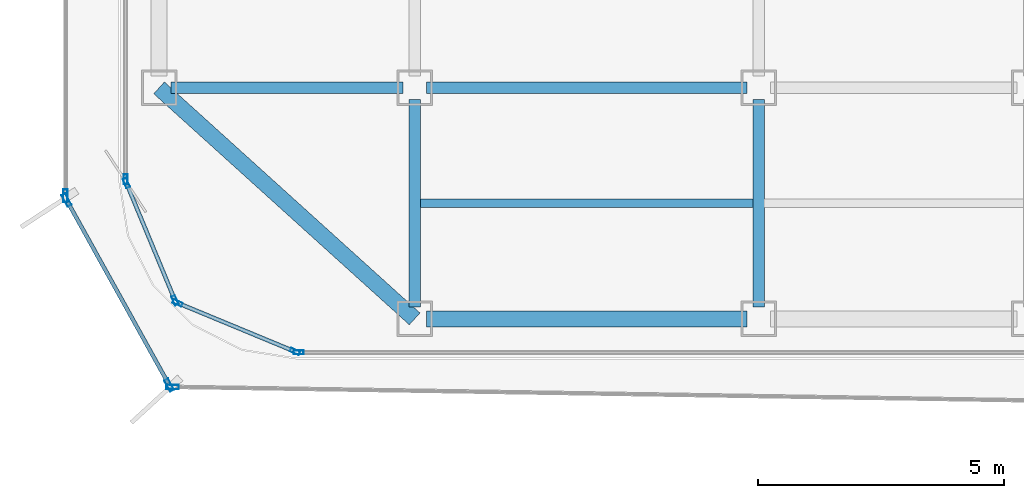
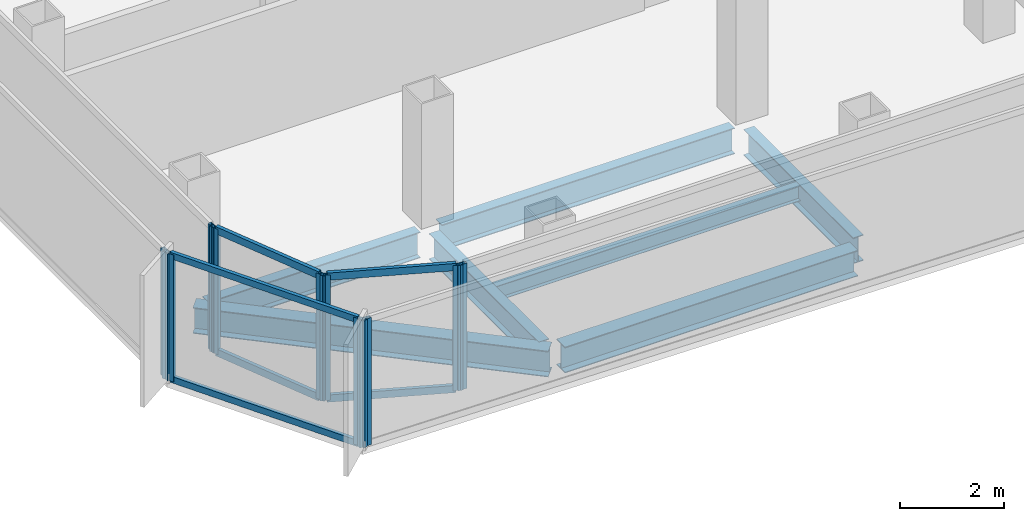
# One storey, part 2 of 15: 16 members, 7 beams, 7 elements without a shape of their own.
"""IFC4 building model written with IfcOpenShell, lengths in metres."""

from ifc_helpers import new_model, si_unit, direction, frame, origin, origin_2d, place, context, subcontext, project, spatial, hollow_rectangle, i_section, extrude, source, transform, mapped, material, layer, layer_set, material_profile, profile_set, type_object, element, aggregate, save


model = new_model("IFC4")

# Units and contexts
model_context = context("Model", 3, precision=1e-05, world=origin(), true_north=direction((0.0, 1.0)))
body_context = subcontext(model_context, "Body", "Model", "MODEL_VIEW")
ifc_project = project(units=[si_unit("LENGTHUNIT", "METRE"), si_unit("AREAUNIT", "SQUARE_METRE"), si_unit("VOLUMEUNIT", "CUBIC_METRE"), si_unit("PLANEANGLEUNIT", "RADIAN"), si_unit("MASSUNIT", "GRAM", prefix="KILO")], contexts=[model_context])

# Site, building, storey
site_placement = place(None, origin())
site = spatial("IfcSite", under=ifc_project, at=site_placement, CompositionType="ELEMENT")
building_placement = place(site_placement, origin())
building = spatial("IfcBuilding", under=site, at=building_placement, Name="Kolveth Station Tower", CompositionType="ELEMENT")
storey_placement = place(building_placement, frame((0.0, 0.0, 172.10009765625)))
storey = spatial("IfcBuildingStorey", under=building, at=storey_placement, Name="L48", CompositionType="ELEMENT", Elevation=172.10009765625)

# Beams
ifc_material_1 = material(Name="Steel S355", Category="steel")
ifc_material_profile_1 = material_profile(ifc_material_1, i_section(OverallWidth=0.323974609375, OverallDepth=0.611083984375, WebThickness=0.0126953125, FlangeThickness=0.01904296875, at=origin_2d()), Name="W610x155")
ifc_profile_set_1 = profile_set([ifc_material_profile_1], Name="Steel S355")
beam_type_1 = type_object("IfcBeamType", Name="Beam_SP2", PredefinedType="SPANDREL", material=ifc_profile_set_1)
shared_shape_1 = source(origin(), body_context, "Body", "SweptSolid", [
    extrude(i_section(OverallWidth=0.323974609375, OverallDepth=0.611083984375, WebThickness=0.0126953125, FlangeThickness=0.01904296875, at=origin_2d()), origin(), (0.0, 0.0, 1.0), 7.00927734375),
])
beam_1_placement = place(storey_placement, frame((0.800048828125, 5.5, -0.5556640625), z_axis=(0.741874009795, -0.670539300557, 0.0), x_axis=(0.670539300557, 0.741874009795, 0.0)))
element("IfcBeam", 1, at=beam_1_placement, inside=storey, type_object=beam_type_1, Name="L48 Corner Edge Girder BM-L48-CNR-SW", PredefinedType="SPANDREL", context=body_context, shape_type="MappedRepresentation", body=[
    mapped(shared_shape_1, transform((0.0, 0.0, 0.0), x_axis=(1.0, 0.0, 0.0), y_axis=(0.0, 1.0, 0.0), z_axis=(0.0, 0.0, 1.0), scale=1.0)),
])
shared_shape_2 = source(origin(), body_context, "Body", "SweptSolid", [
    extrude(i_section(OverallWidth=0.323974609375, OverallDepth=0.611083984375, WebThickness=0.0126953125, FlangeThickness=0.01904296875, at=origin_2d()), origin(), (0.0, 0.0, 1.0), 6.52001953125),
])
beam_2_placement = place(storey_placement, frame((6.239990234375, 0.800048828125, -0.5556640625), z_axis=(1.0, 0.0, 0.0), x_axis=(0.0, 1.0, 0.0)))
element("IfcBeam", 2, at=beam_2_placement, inside=storey, type_object=beam_type_1, Name="L48 Perimeter Spandrel BM-L48-PS-1", PredefinedType="SPANDREL", context=body_context, shape_type="MappedRepresentation", body=[
    mapped(shared_shape_2, transform((0.0, 0.0, 0.0), x_axis=(1.0, 0.0, 0.0), y_axis=(0.0, 1.0, 0.0), z_axis=(0.0, 0.0, 1.0), scale=1.0)),
])
ifc_material_profile_2 = material_profile(ifc_material_1, i_section(OverallWidth=0.22900390625, OverallDepth=0.612060546875, WebThickness=0.011962890625, FlangeThickness=0.01953125, at=origin_2d()), Name="W610x125")
ifc_profile_set_2 = profile_set([ifc_material_profile_2], Name="Steel S355")
beam_type_2 = type_object("IfcBeamType", Name="Beam_B5", PredefinedType="BEAM", material=ifc_profile_set_2)
shared_shape_3 = source(origin(), body_context, "Body", "SweptSolid", [
    extrude(i_section(OverallWidth=0.22900390625, OverallDepth=0.612060546875, WebThickness=0.011962890625, FlangeThickness=0.01953125, at=origin_2d()), origin(), (0.0, 0.0, 1.0), 4.719970703125),
])
beam_3_placement = place(storey_placement, frame((1.0400390625, 5.5, -0.55615234375), z_axis=(1.0, 0.0, 0.0), x_axis=(0.0, 1.0, 0.0)))
element("IfcBeam", 3, at=beam_3_placement, inside=storey, type_object=beam_type_2, Name="L48 Primary Girder BM-L48-GY55-1", PredefinedType="BEAM", context=body_context, shape_type="MappedRepresentation", body=[
    mapped(shared_shape_3, transform((0.0, 0.0, 0.0), x_axis=(1.0, 0.0, 0.0), y_axis=(0.0, 1.0, 0.0), z_axis=(0.0, 0.0, 1.0), scale=1.0)),
])
shared_shape_4 = source(origin(), body_context, "Body", "SweptSolid", [
    extrude(i_section(OverallWidth=0.22900390625, OverallDepth=0.612060546875, WebThickness=0.011962890625, FlangeThickness=0.01953125, at=origin_2d()), origin(), (0.0, 0.0, 1.0), 6.52001953125),
])
beam_4_placement = place(storey_placement, frame((6.239990234375, 5.5, -0.55615234375), z_axis=(1.0, 0.0, 0.0), x_axis=(0.0, 1.0, 0.0)))
element("IfcBeam", 4, at=beam_4_placement, inside=storey, type_object=beam_type_2, Name="L48 Primary Girder BM-L48-GY55-2", PredefinedType="BEAM", context=body_context, shape_type="MappedRepresentation", body=[
    mapped(shared_shape_4, transform((0.0, 0.0, 0.0), x_axis=(1.0, 0.0, 0.0), y_axis=(0.0, 1.0, 0.0), z_axis=(0.0, 0.0, 1.0), scale=1.0)),
])
shared_shape_5 = source(origin(), body_context, "Body", "SweptSolid", [
    extrude(i_section(OverallWidth=0.22900390625, OverallDepth=0.612060546875, WebThickness=0.011962890625, FlangeThickness=0.01953125, at=origin_2d()), origin(), (0.0, 0.0, 1.0), 4.219970703125),
])
for number, where, z_axis, x_axis, name in (
    (5, (6.0, 1.0400390625, -0.55615234375), (0.0, 1.0, 0.0), (-1.0, 0.0, 0.0), "L48 Primary Girder BM-L48-GX60-1"),
    (6, (13.0, 1.0400390625, -0.55615234375), (0.0, 1.0, 0.0), (-1.0, 0.0, 0.0), "L48 Primary Girder BM-L48-GX130-1"),
):
    element("IfcBeam", number, at=place(storey_placement, frame(where, z_axis=z_axis, x_axis=x_axis)), inside=storey, type_object=beam_type_2, Name=name, PredefinedType="BEAM", context=body_context, shape_type="MappedRepresentation", body=[
        mapped(shared_shape_5, transform((0.0, 0.0, 0.0), x_axis=(1.0, 0.0, 0.0), y_axis=(0.0, 1.0, 0.0), z_axis=(0.0, 0.0, 1.0), scale=1.0)),
    ])
ifc_material_profile_3 = material_profile(ifc_material_1, i_section(OverallWidth=0.1708984375, OverallDepth=0.35205078125, WebThickness=0.0068359375, FlangeThickness=0.009765625, at=origin_2d()), Name="W360x44")
ifc_profile_set_3 = profile_set([ifc_material_profile_3], Name="Steel S355")
beam_type_3 = type_object("IfcBeamType", Name="Beam_J2", PredefinedType="JOIST", material=ifc_profile_set_3)
shared_shape_6 = source(origin(), body_context, "Body", "SweptSolid", [
    extrude(i_section(OverallWidth=0.1708984375, OverallDepth=0.35205078125, WebThickness=0.0068359375, FlangeThickness=0.009765625, at=origin_2d()), origin(), (0.0, 0.0, 1.0), 6.77490234375),
])
beam_5_placement = place(storey_placement, frame((6.112548828125, 3.14990234375, -0.426025390625), z_axis=(1.0, 0.0, 0.0), x_axis=(0.0, 1.0, 0.0)))
element("IfcBeam", 7, at=beam_5_placement, inside=storey, type_object=beam_type_3, Name="L48 Secondary Joist JST-L48-2-1", PredefinedType="JOIST", context=body_context, shape_type="MappedRepresentation", body=[
    mapped(shared_shape_6, transform((0.0, 0.0, 0.0), x_axis=(1.0, 0.0, 0.0), y_axis=(0.0, 1.0, 0.0), z_axis=(0.0, 0.0, 1.0), scale=1.0)),
])

# Curtain wall, member
ifc_material_2 = material(Name="Aluminium 6063-T6 and low-E dark glass", Category="aluminium")
ifc_layer_1 = layer(ifc_material_2, 0.18994140625)
ifc_layer_set_1 = layer_set([ifc_layer_1], Name="Aluminium 6063-T6 and low-E dark glass")
curtain_wall_type_1 = type_object("IfcCurtainWallType", Name="CurtainWall_CW-Z2", PredefinedType="NOTDEFINED", material=ifc_layer_set_1)
curtain_wall_1_placement = place(storey_placement, origin())
curtain_wall_1 = element("IfcCurtainWall", 8, at=curtain_wall_1_placement, inside=storey, type_object=curtain_wall_type_1, Name="L48 Inner Thermal Curtain Wall 9", PredefinedType="NOTDEFINED")
ifc_material_3 = material(Name="Black anodized aluminium 6063-T6", Category="aluminium")
ifc_material_profile_4 = material_profile(ifc_material_3, hollow_rectangle(XDim=0.080078125, YDim=0.199951171875, WallThickness=0.0048828125, at=origin_2d()), Name="ALU-80x200x5")
ifc_profile_set_4 = profile_set([ifc_material_profile_4], Name="Black anodized aluminium 6063-T6")
member_type_1 = type_object("IfcMemberType", Name="Mullion_ML2", PredefinedType="MULLION", material=ifc_profile_set_4)
shared_shape_7 = source(origin(), body_context, "Body", "SweptSolid", [
    extrude(hollow_rectangle(XDim=0.080078125, YDim=0.199951171875, WallThickness=0.0048828125, at=origin_2d()), origin(), (0.0, 0.0, 1.0), 2.949951171875),
])
member_1_placement = place(storey_placement, frame((0.1201171875, 3.639892578125, 0.0), z_axis=(0.0, 0.0, 1.0), x_axis=(1.0, 0.0, 0.0)))
member_1 = element("IfcMember", 9, at=member_1_placement, type_object=member_type_1, Name="CW-Z2 mullion 2", PredefinedType="MULLION", context=body_context, shape_type="MappedRepresentation", body=[
    mapped(shared_shape_7, transform((0.0, 0.0, 0.0), x_axis=(1.0, 0.0, 0.0), y_axis=(0.0, 1.0, 0.0), z_axis=(0.0, 0.0, 1.0), scale=1.0)),
])
aggregate(curtain_wall_1, [member_1])

# Curtain wall, members
curtain_wall_2_placement = place(storey_placement, origin())
curtain_wall_2 = element("IfcCurtainWall", 10, at=curtain_wall_2_placement, inside=storey, type_object=curtain_wall_type_1, Name="L48 Inner Thermal Curtain Wall 10", PredefinedType="NOTDEFINED")
member_2_placement = place(storey_placement, frame((0.13525390625, 3.56298828125, 0.0), z_axis=(0.0, 0.0, 1.0), x_axis=(0.923873600544, 0.382697753087, 0.0)))
member_2 = element("IfcMember", 11, at=member_2_placement, type_object=member_type_1, Name="CW-Z2 mullion 1", PredefinedType="MULLION", context=body_context, shape_type="MappedRepresentation", body=[
    mapped(shared_shape_7, transform((0.0, 0.0, 0.0), x_axis=(1.0, 0.0, 0.0), y_axis=(0.0, 1.0, 0.0), z_axis=(0.0, 0.0, 1.0), scale=1.0)),
])
member_3_placement = place(storey_placement, frame((1.1240234375, 1.17626953125, 0.0), z_axis=(0.0, 0.0, 1.0), x_axis=(0.923873600544, 0.382697753087, 0.0)))
member_3 = element("IfcMember", 12, at=member_3_placement, type_object=member_type_1, Name="CW-Z2 mullion 2", PredefinedType="MULLION", context=body_context, shape_type="MappedRepresentation", body=[
    mapped(shared_shape_7, transform((0.0, 0.0, 0.0), x_axis=(1.0, 0.0, 0.0), y_axis=(0.0, 1.0, 0.0), z_axis=(0.0, 0.0, 1.0), scale=1.0)),
])

curtain_wall_3_placement = place(storey_placement, origin())
curtain_wall_3 = element("IfcCurtainWall", 13, at=curtain_wall_3_placement, inside=storey, type_object=curtain_wall_type_1, Name="L48 Inner Thermal Curtain Wall 11", PredefinedType="NOTDEFINED")
member_4_placement = place(storey_placement, frame((1.17626953125, 1.1240234375, 0.0), z_axis=(0.0, 0.0, 1.0), x_axis=(0.382697753087, 0.923873600544, 0.0)))
member_4 = element("IfcMember", 14, at=member_4_placement, type_object=member_type_1, Name="CW-Z2 mullion 1", PredefinedType="MULLION", context=body_context, shape_type="MappedRepresentation", body=[
    mapped(shared_shape_7, transform((0.0, 0.0, 0.0), x_axis=(1.0, 0.0, 0.0), y_axis=(0.0, 1.0, 0.0), z_axis=(0.0, 0.0, 1.0), scale=1.0)),
])
member_5_placement = place(storey_placement, frame((3.56298828125, 0.13525390625, 0.0), z_axis=(0.0, 0.0, 1.0), x_axis=(0.382697753087, 0.923873600544, 0.0)))
member_5 = element("IfcMember", 15, at=member_5_placement, type_object=member_type_1, Name="CW-Z2 mullion 2", PredefinedType="MULLION", context=body_context, shape_type="MappedRepresentation", body=[
    mapped(shared_shape_7, transform((0.0, 0.0, 0.0), x_axis=(1.0, 0.0, 0.0), y_axis=(0.0, 1.0, 0.0), z_axis=(0.0, 0.0, 1.0), scale=1.0)),
])

# Curtain wall, member
curtain_wall_4_placement = place(storey_placement, origin())
curtain_wall_4 = element("IfcCurtainWall", 16, at=curtain_wall_4_placement, inside=storey, type_object=curtain_wall_type_1, Name="L48 Inner Thermal Curtain Wall 12", PredefinedType="NOTDEFINED")
member_6_placement = place(storey_placement, frame((3.639892578125, 0.1201171875, 0.0), z_axis=(0.0, 0.0, 1.0), x_axis=(0.0, 1.0, 0.0)))
member_6 = element("IfcMember", 17, at=member_6_placement, type_object=member_type_1, Name="CW-Z2 mullion 1", PredefinedType="MULLION", context=body_context, shape_type="MappedRepresentation", body=[
    mapped(shared_shape_7, transform((0.0, 0.0, 0.0), x_axis=(1.0, 0.0, 0.0), y_axis=(0.0, 1.0, 0.0), z_axis=(0.0, 0.0, 1.0), scale=1.0)),
])
aggregate(curtain_wall_4, [member_6])

ifc_material_4 = material(Name="Black anodized aluminium 6063-T6 and dark solar glass", Category="aluminium")
ifc_layer_2 = layer(ifc_material_4, 0.159912109375)
ifc_layer_set_2 = layer_set([ifc_layer_2], Name="Black anodized aluminium 6063-T6 and dark solar glass")
curtain_wall_type_2 = type_object("IfcCurtainWallType", Name="OUTER SKIN CW-OS", PredefinedType="NOTDEFINED", material=ifc_layer_set_2)
curtain_wall_5_placement = place(storey_placement, origin())
curtain_wall_5 = element("IfcCurtainWall", 18, at=curtain_wall_5_placement, inside=storey, type_object=curtain_wall_type_2, Name="L48 Outer Ventilated Skin Curtain Wall 6", PredefinedType="NOTDEFINED")
ifc_material_profile_5 = material_profile(ifc_material_3, hollow_rectangle(XDim=0.090087890625, YDim=0.260009765625, WallThickness=0.0048828125, at=origin_2d()), Name="ALU-90x260x5")
ifc_profile_set_5 = profile_set([ifc_material_profile_5], Name="Black anodized aluminium 6063-T6")
member_type_2 = type_object("IfcMemberType", Name="FIN MULLION ML-OS", PredefinedType="MULLION", material=ifc_profile_set_5)
shared_shape_8 = source(origin(), body_context, "Body", "SweptSolid", [
    extrude(hollow_rectangle(XDim=0.090087890625, YDim=0.260009765625, WallThickness=0.0048828125, at=origin_2d()), origin(), (0.0, 0.0, 1.0), 2.989990234375),
])
member_7_placement = place(storey_placement, frame((-1.10498046875, 3.302734375, 0.0), z_axis=(0.0, 0.0, 1.0), x_axis=(0.999999440888, -0.001057461251, 0.0)))
member_7 = element("IfcMember", 19, at=member_7_placement, type_object=member_type_2, Name="CW-OS mullion 2", PredefinedType="MULLION", context=body_context, shape_type="MappedRepresentation", body=[
    mapped(shared_shape_8, transform((0.0, 0.0, 0.0), x_axis=(1.0, 0.0, 0.0), y_axis=(0.0, 1.0, 0.0), z_axis=(0.0, 0.0, 1.0), scale=1.0)),
])
aggregate(curtain_wall_5, [member_7])

# Curtain wall, members
curtain_wall_6_placement = place(storey_placement, origin())
curtain_wall_6 = element("IfcCurtainWall", 20, at=curtain_wall_6_placement, inside=storey, type_object=curtain_wall_type_2, Name="L48 Outer Ventilated Skin Curtain Wall 7", PredefinedType="NOTDEFINED")
member_8_placement = place(storey_placement, frame((-1.083251953125, 3.218505859375, 0.0), z_axis=(0.0, 0.0, 1.0), x_axis=(0.874471501253, 0.485076894417, 0.0)))
member_8 = element("IfcMember", 21, at=member_8_placement, type_object=member_type_2, Name="CW-OS mullion 1", PredefinedType="MULLION", context=body_context, shape_type="MappedRepresentation", body=[
    mapped(shared_shape_8, transform((0.0, 0.0, 0.0), x_axis=(1.0, 0.0, 0.0), y_axis=(0.0, 1.0, 0.0), z_axis=(0.0, 0.0, 1.0), scale=1.0)),
])
member_9_placement = place(storey_placement, frame((1.00537109375, -0.546875, 0.0), z_axis=(0.0, 0.0, 1.0), x_axis=(0.874471501253, 0.485076894417, 0.0)))
member_9 = element("IfcMember", 22, at=member_9_placement, type_object=member_type_2, Name="CW-OS mullion 2", PredefinedType="MULLION", context=body_context, shape_type="MappedRepresentation", body=[
    mapped(shared_shape_8, transform((0.0, 0.0, 0.0), x_axis=(1.0, 0.0, 0.0), y_axis=(0.0, 1.0, 0.0), z_axis=(0.0, 0.0, 1.0), scale=1.0)),
])

# Curtain wall, member
curtain_wall_7_placement = place(storey_placement, origin())
curtain_wall_7 = element("IfcCurtainWall", 23, at=curtain_wall_7_placement, inside=storey, type_object=curtain_wall_type_2, Name="L48 Outer Ventilated Skin Curtain Wall 8", PredefinedType="NOTDEFINED")
member_10_placement = place(storey_placement, frame((1.072265625, -0.5869140625, 0.0), z_axis=(0.0, 0.0, 1.0), x_axis=(0.015798673821, 0.999875193164, 0.0)))
member_10 = element("IfcMember", 24, at=member_10_placement, type_object=member_type_2, Name="CW-OS mullion 1", PredefinedType="MULLION", context=body_context, shape_type="MappedRepresentation", body=[
    mapped(shared_shape_8, transform((0.0, 0.0, 0.0), x_axis=(1.0, 0.0, 0.0), y_axis=(0.0, 1.0, 0.0), z_axis=(0.0, 0.0, 1.0), scale=1.0)),
])
aggregate(curtain_wall_7, [member_10])

# Member
ifc_material_profile_6 = material_profile(ifc_material_3, hollow_rectangle(XDim=0.080078125, YDim=0.169921875, WallThickness=0.0048828125, at=origin_2d()), Name="ALU-80x170x5")
ifc_profile_set_6 = profile_set([ifc_material_profile_6], Name="Black anodized aluminium 6063-T6")
member_type_3 = type_object("IfcMemberType", Name="Transom_TR2", PredefinedType="USERDEFINED", material=ifc_profile_set_6)
shared_shape_9 = source(origin(), body_context, "Body", "SweptSolid", [
    extrude(hollow_rectangle(XDim=0.080078125, YDim=0.169921875, WallThickness=0.0048828125, at=origin_2d()), origin(), (0.0, 0.0, 1.0), 2.50341796875),
])
member_11_placement = place(storey_placement, frame((0.150634765625, 3.526123046875, 0.039794921875), z_axis=(0.382661849723, -0.923888472039, 0.0), x_axis=(0.923888472039, 0.382661849723, 0.0)))
member_11 = element("IfcMember", 25, at=member_11_placement, type_object=member_type_3, Name="CW-Z2 transom 1.1", ObjectType="TRANSOM", PredefinedType="USERDEFINED", context=body_context, shape_type="MappedRepresentation", body=[
    mapped(shared_shape_9, transform((0.0, 0.0, 0.0), x_axis=(1.0, 0.0, 0.0), y_axis=(0.0, 1.0, 0.0), z_axis=(0.0, 0.0, 1.0), scale=1.0)),
])

member_12_placement = place(storey_placement, frame((0.150634765625, 3.526123046875, 2.909912109375), z_axis=(0.382661849723, -0.923888472039, 0.0), x_axis=(0.923888472039, 0.382661849723, 0.0)))
member_12 = element("IfcMember", 26, at=member_12_placement, type_object=member_type_3, Name="CW-Z2 transom 1.2", ObjectType="TRANSOM", PredefinedType="USERDEFINED", context=body_context, shape_type="MappedRepresentation", body=[
    mapped(shared_shape_9, transform((0.0, 0.0, 0.0), x_axis=(1.0, 0.0, 0.0), y_axis=(0.0, 1.0, 0.0), z_axis=(0.0, 0.0, 1.0), scale=1.0)),
])

aggregate(curtain_wall_2, [member_2, member_3, member_11, member_12])

member_13_placement = place(storey_placement, frame((1.213134765625, 1.108642578125, 0.039794921875), z_axis=(0.923888472039, -0.382661849723, 0.0), x_axis=(0.382661849723, 0.923888472039, 0.0)))
member_13 = element("IfcMember", 27, at=member_13_placement, type_object=member_type_3, Name="CW-Z2 transom 1.1", ObjectType="TRANSOM", PredefinedType="USERDEFINED", context=body_context, shape_type="MappedRepresentation", body=[
    mapped(shared_shape_9, transform((0.0, 0.0, 0.0), x_axis=(1.0, 0.0, 0.0), y_axis=(0.0, 1.0, 0.0), z_axis=(0.0, 0.0, 1.0), scale=1.0)),
])

member_14_placement = place(storey_placement, frame((1.213134765625, 1.108642578125, 2.909912109375), z_axis=(0.923888472039, -0.382661849723, 0.0), x_axis=(0.382661849723, 0.923888472039, 0.0)))
member_14 = element("IfcMember", 28, at=member_14_placement, type_object=member_type_3, Name="CW-Z2 transom 1.2", ObjectType="TRANSOM", PredefinedType="USERDEFINED", context=body_context, shape_type="MappedRepresentation", body=[
    mapped(shared_shape_9, transform((0.0, 0.0, 0.0), x_axis=(1.0, 0.0, 0.0), y_axis=(0.0, 1.0, 0.0), z_axis=(0.0, 0.0, 1.0), scale=1.0)),
])

aggregate(curtain_wall_3, [member_4, member_5, member_13, member_14])

ifc_material_profile_7 = material_profile(ifc_material_3, hollow_rectangle(XDim=0.080078125, YDim=0.14990234375, WallThickness=0.0048828125, at=origin_2d()), Name="ALU-80x150x5")
ifc_profile_set_7 = profile_set([ifc_material_profile_7], Name="Black anodized aluminium 6063-T6")
member_type_4 = type_object("IfcMemberType", Name="Transom_TR-OS", PredefinedType="USERDEFINED", material=ifc_profile_set_7)
shared_shape_10 = source(origin(), body_context, "Body", "SweptSolid", [
    extrude(hollow_rectangle(XDim=0.080078125, YDim=0.14990234375, WallThickness=0.0048828125, at=origin_2d()), origin(), (0.0, 0.0, 1.0), 4.216064453125),
])
member_15_placement = place(storey_placement, frame((-1.0615234375, 3.17919921875, 0.039794921875), z_axis=(0.485092166094, -0.874463029747, 0.0), x_axis=(0.874463029747, 0.485092166094, 0.0)))
member_15 = element("IfcMember", 29, at=member_15_placement, type_object=member_type_4, Name="CW-OS transom 1.1", ObjectType="TRANSOM", PredefinedType="USERDEFINED", context=body_context, shape_type="MappedRepresentation", body=[
    mapped(shared_shape_10, transform((0.0, 0.0, 0.0), x_axis=(1.0, 0.0, 0.0), y_axis=(0.0, 1.0, 0.0), z_axis=(0.0, 0.0, 1.0), scale=1.0)),
])

member_16_placement = place(storey_placement, frame((-1.0615234375, 3.17919921875, 2.949951171875), z_axis=(0.485092166094, -0.874463029747, 0.0), x_axis=(0.874463029747, 0.485092166094, 0.0)))
member_16 = element("IfcMember", 30, at=member_16_placement, type_object=member_type_4, Name="CW-OS transom 1.2", ObjectType="TRANSOM", PredefinedType="USERDEFINED", context=body_context, shape_type="MappedRepresentation", body=[
    mapped(shared_shape_10, transform((0.0, 0.0, 0.0), x_axis=(1.0, 0.0, 0.0), y_axis=(0.0, 1.0, 0.0), z_axis=(0.0, 0.0, 1.0), scale=1.0)),
])

aggregate(curtain_wall_6, [member_8, member_9, member_15, member_16])

save(model, "model.ifc")
